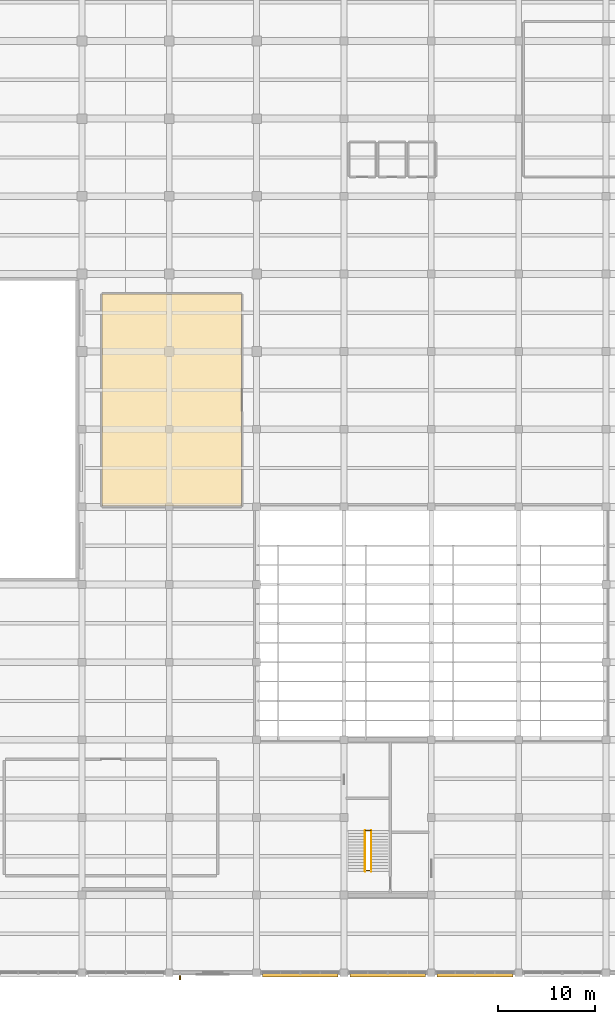
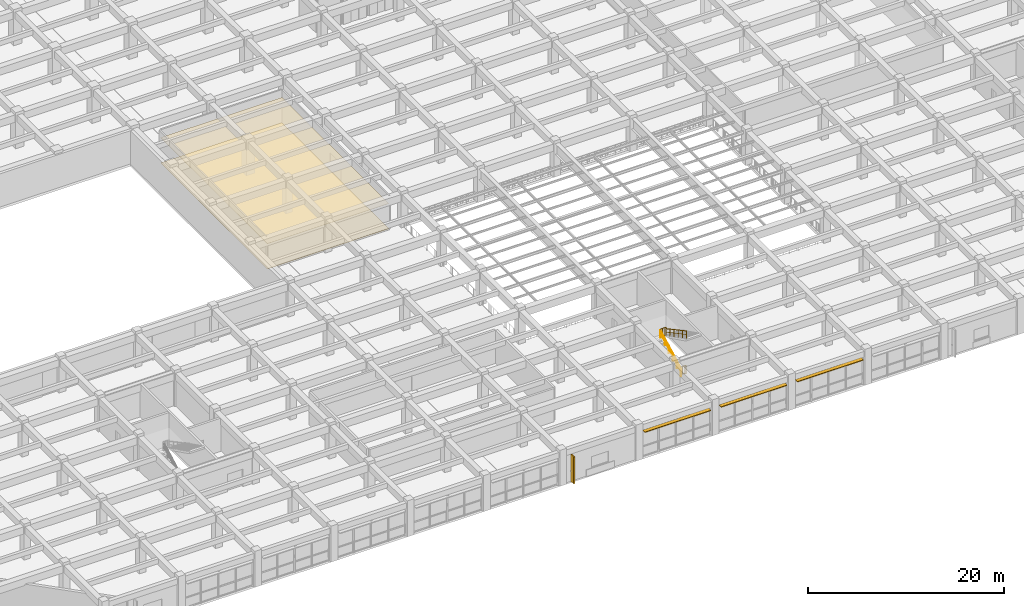
# One storey, part 43 of 50: 4 railings, 4 shading devices, 2 coverings.
"""IFC4 building model written with IfcOpenShell, lengths in metres."""

from ifc_helpers import new_model, si_unit, direction, frame, frame_2d, origin, origin_2d, place, context, subcontext, project, spatial, polyline, rectangle, circle, outline, extrude, material, layer, layer_set, type_object, element, save


model = new_model("IFC4")

# Units and contexts
model_context = context("Model", 3, precision=1e-05, world=origin(), true_north=direction((0.0, 1.0)))
body_context = subcontext(model_context, "Body", "Model", "MODEL_VIEW")
ifc_project = project(units=[si_unit("LENGTHUNIT", "METRE"), si_unit("AREAUNIT", "SQUARE_METRE"), si_unit("VOLUMEUNIT", "CUBIC_METRE"), si_unit("PLANEANGLEUNIT", "RADIAN"), si_unit("MASSUNIT", "GRAM", prefix="KILO")], contexts=[model_context])

# Site, building, storey
site_placement = place(None, origin())
site = spatial("IfcSite", under=ifc_project, at=site_placement, CompositionType="ELEMENT")
building_placement = place(site_placement, origin())
building = spatial("IfcBuilding", under=site, at=building_placement, Name="Zaverband Oceanarium and Marine Research Institute", CompositionType="ELEMENT")
storey_placement = place(building_placement, frame((0.0, 0.0, 9.0)))
storey = spatial("IfcBuildingStorey", under=building, at=storey_placement, Name="L02", CompositionType="ELEMENT", Elevation=9.0)

# Coverings
ifc_material_1 = material(Name="Perforated mineral-fibre acoustic ceiling tile")
ifc_layer_1 = layer(ifc_material_1, 0.02490234375, Name="Perforated mineral-fibre acoustic ceiling tile")
ifc_layer_set_1 = layer_set([ifc_layer_1], Name="Perforated mineral-fibre acoustic ceiling tile")
covering_type_1 = type_object("IfcCoveringType", Name="CLG-AC-15", PredefinedType="CEILING", material=ifc_layer_set_1)
covering_1_placement = place(storey_placement, frame((0.0, 0.0, 3.14990234375)))
element("IfcCovering", 1, at=covering_1_placement, inside=storey, type_object=covering_type_1, Name="Suspended acoustic ceiling CLG-AC-15", PredefinedType="CEILING", context=body_context, shape_type="SweptSolid", body=[
    extrude(outline(polyline([(56.08251953125, 48.08251953125), (70.41748046875, 48.08251953125), (70.41748046875, 69.91748046875), (56.08251953125, 69.91748046875), (56.08251953125, 48.08251953125)])), origin(), (0.0, 0.0, 1.0), 0.025146484375),
])
ifc_material_2 = material(Name="Polished marine terrazzo and seamless laboratory epoxy flooring")
ifc_layer_2 = layer(ifc_material_2, 0.02490234375, Name="Polished marine terrazzo and seamless laboratory epoxy flooring")
ifc_layer_set_2 = layer_set([ifc_layer_2], Name="Polished marine terrazzo and seamless laboratory epoxy flooring")
covering_type_2 = type_object("IfcCoveringType", Name="FLR-TRZ-20", PredefinedType="FLOORING", material=ifc_layer_set_2)
covering_2_placement = place(storey_placement, origin())
element("IfcCovering", 2, at=covering_2_placement, inside=storey, type_object=covering_type_2, Name="Terrazzo and marine epoxy floor finish FLR-TRZ-20", PredefinedType="FLOORING", context=body_context, shape_type="SweptSolid", body=[
    extrude(outline(polyline([(56.08251953125, 48.08251953125), (70.41748046875, 48.08251953125), (70.41748046875, 69.91748046875), (56.08251953125, 69.91748046875), (56.08251953125, 48.08251953125)])), origin(), (0.0, 0.0, 1.0), 0.02490234375),
])

# Railings
ifc_material_3 = material(Name="Steel S355", Category="steel")
ifc_layer_3 = layer(ifc_material_3, 0.06005859375, Name="Steel S355")
ifc_layer_set_3 = layer_set([ifc_layer_3], Name="Steel S355")
railing_type_1 = type_object("IfcRailingType", Name="GRD-1100", PredefinedType="BALUSTRADE", material=ifc_layer_set_3)
for number, where, name in (
    (3, (83.18994140625, 14.6298828125, 2.25), "1100 mm steel post-and-baluster safety guard GRD-1100"),
    (4, (83.18994140625, 10.530029296875, 0.0), "1100 mm steel post-and-baluster safety guard GRD-1100"),
):
    element("IfcRailing", number, at=place(storey_placement, frame(where)), inside=storey, type_object=railing_type_1, Name=name, PredefinedType="BALUSTRADE", context=body_context, shape_type="SweptSolid", body=[
        extrude(circle(Radius=0.02392578125, at=origin_2d()), frame((0.0, 0.0, 1.076171875), z_axis=(1.0, 0.0, 0.0), x_axis=(0.0, 1.0, 0.0)), (0.0, 0.0, 1.0), 0.6201171875),
        extrude(circle(Radius=0.009033203125, at=origin_2d()), frame((0.0, 0.0, 0.10009765625), z_axis=(1.0, 0.0, 0.0), x_axis=(0.0, 1.0, 0.0)), (0.0, 0.0, 1.0), 0.6201171875),
        extrude(circle(Radius=0.009033203125, at=origin_2d()), frame((0.206787109375, 0.0, 0.10009765625)), (0.0, 0.0, 1.0), 0.951904296875),
        extrude(circle(Radius=0.009033203125, at=origin_2d()), frame((0.413330078125, 0.0, 0.10009765625)), (0.0, 0.0, 1.0), 0.951904296875),
        extrude(circle(Radius=0.02099609375, at=origin_2d()), origin(), (0.0, 0.0, 1.0), 1.052001953125),
        extrude(circle(Radius=0.02099609375, at=origin_2d()), frame((0.6201171875, 0.0, 0.0)), (0.0, 0.0, 1.0), 1.052001953125),
    ])
ifc_layer_4 = layer(ifc_material_3, 0.050048828125, Name="Steel S355")
ifc_layer_set_4 = layer_set([ifc_layer_4], Name="Steel S355")
railing_type_2 = type_object("IfcRailingType", Name="HR-920", PredefinedType="HANDRAIL", material=ifc_layer_set_4)
railing_1_placement = place(storey_placement, frame((83.18994140625, 10.449951171875, 0.0)))
element("IfcRailing", 5, at=railing_1_placement, inside=storey, type_object=railing_type_2, Name="920 mm continuous tubular stair and ramp handrail HR-920", PredefinedType="HANDRAIL", context=body_context, shape_type="SweptSolid", body=[
    extrude(circle(Radius=0.02392578125, at=origin_2d()), frame((0.0, 0.0, 0.89599609375), z_axis=(0.0, 0.881477684796, 0.472225678258), x_axis=(-1.0, 0.0, 0.0)), (0.0, 0.0, 1.0), 4.7646484375),
    extrude(circle(Radius=0.009033203125, at=origin_2d()), frame((0.0, 0.0, 0.4599609375), z_axis=(0.0, 0.881477684796, 0.472225678258), x_axis=(-1.0, 0.0, 0.0)), (0.0, 0.0, 1.0), 4.7646484375),
    extrude(circle(Radius=0.02099609375, at=origin_2d()), origin(), (0.0, 0.0, 1.0), 0.871826171875),
    extrude(circle(Radius=0.02099609375, at=origin_2d()), frame((0.0, 0.840087890625, 0.449951171875)), (0.0, 0.0, 1.0), 0.871826171875),
    extrude(circle(Radius=0.02099609375, at=origin_2d()), frame((0.0, 1.679931640625, 0.89990234375)), (0.0, 0.0, 1.0), 0.871826171875),
    extrude(circle(Radius=0.02099609375, at=origin_2d()), frame((0.0, 2.52001953125, 1.35009765625)), (0.0, 0.0, 1.0), 0.871826171875),
    extrude(circle(Radius=0.02099609375, at=origin_2d()), frame((0.0, 3.35986328125, 1.800048828125)), (0.0, 0.0, 1.0), 0.871826171875),
    extrude(circle(Radius=0.02099609375, at=origin_2d()), frame((0.0, 4.199951171875, 2.25)), (0.0, 0.0, 1.0), 0.871826171875),
])
railing_2_placement = place(storey_placement, frame((83.81005859375, 14.64990234375, 2.25)))
element("IfcRailing", 6, at=railing_2_placement, inside=storey, type_object=railing_type_2, Name="920 mm continuous tubular stair and ramp handrail HR-920", PredefinedType="HANDRAIL", context=body_context, shape_type="SweptSolid", body=[
    extrude(circle(Radius=0.02392578125, at=origin_2d()), frame((0.0, 0.0, 0.89599609375), z_axis=(0.0, -0.881477684796, 0.472225678258), x_axis=(1.0, 0.0, 0.0)), (0.0, 0.0, 1.0), 4.7646484375),
    extrude(circle(Radius=0.009033203125, at=origin_2d()), frame((0.0, 0.0, 0.4599609375), z_axis=(0.0, -0.881477684796, 0.472225678258), x_axis=(1.0, 0.0, 0.0)), (0.0, 0.0, 1.0), 4.7646484375),
    extrude(circle(Radius=0.02099609375, at=origin_2d()), origin(), (0.0, 0.0, 1.0), 0.871826171875),
    extrude(circle(Radius=0.02099609375, at=origin_2d()), frame((0.0, -0.840087890625, 0.449951171875)), (0.0, 0.0, 1.0), 0.871826171875),
    extrude(circle(Radius=0.02099609375, at=origin_2d()), frame((0.0, -1.679931640625, 0.89990234375)), (0.0, 0.0, 1.0), 0.871826171875),
    extrude(circle(Radius=0.02099609375, at=origin_2d()), frame((0.0, -2.52001953125, 1.35009765625)), (0.0, 0.0, 1.0), 0.871826171875),
    extrude(circle(Radius=0.02099609375, at=origin_2d()), frame((0.0, -3.35986328125, 1.800048828125)), (0.0, 0.0, 1.0), 0.871826171875),
    extrude(circle(Radius=0.02099609375, at=origin_2d()), frame((0.0, -4.199951171875, 2.25)), (0.0, 0.0, 1.0), 0.871826171875),
])

# Shading devices
ifc_material_4 = material(Name="Concrete C40/50 precast brise-soleil", Category="concrete")
ifc_layer_5 = layer(ifc_material_4, 0.139892578125, Name="Concrete C40/50 precast brise-soleil")
ifc_layer_set_5 = layer_set([ifc_layer_5], Name="Concrete C40/50 precast brise-soleil")
shading_device_type_1 = type_object("IfcShadingDeviceType", Name="SHD-FIN-600", PredefinedType="JALOUSIE", material=ifc_layer_set_5)
shading_device_placement = place(storey_placement, frame((64.10498046875, -0.135009765625, 0.0), z_axis=(0.0, 0.0, 1.0), x_axis=(0.0, -1.0, 0.0)))
element("IfcShadingDevice", 7, at=shading_device_placement, inside=storey, type_object=shading_device_type_1, Name="600 mm vertical precast brise-soleil fin SHD-FIN-600", PredefinedType="JALOUSIE", context=body_context, shape_type="SweptSolid", body=[
    extrude(rectangle(XDim=0.60009765625, YDim=0.139892578125, at=frame_2d((0.300048828125, 0.0))), origin(), (0.0, 0.0, 1.0), 3.3701171875),
])
ifc_material_5 = material(Name="Anodized bronze marine-grade aluminium", Category="aluminium")
ifc_layer_6 = layer(ifc_material_5, 0.080078125, Name="Anodized bronze marine-grade aluminium")
ifc_layer_set_6 = layer_set([ifc_layer_6], Name="Anodized bronze marine-grade aluminium")
shading_device_type_2 = type_object("IfcShadingDeviceType", Name="SHD-LVR-450", PredefinedType="USERDEFINED", material=ifc_layer_set_6)
for number, where, z_axis, x_axis, name in (
    (8, (72.60498046875, -0.239990234375, 3.239990234375), (0.0, 0.0, 1.0), (1.0, 0.0, 0.0), "450 mm horizontal solar shading louvre SHD-LVR-450"),
    (9, (81.60498046875, -0.239990234375, 3.239990234375), (0.0, 0.0, 1.0), (1.0, 0.0, 0.0), "450 mm horizontal solar shading louvre SHD-LVR-450"),
    (10, (90.60498046875, -0.239990234375, 3.239990234375), (0.0, 0.0, 1.0), (1.0, 0.0, 0.0), "450 mm horizontal solar shading louvre SHD-LVR-450"),
):
    element("IfcShadingDevice", number, at=place(storey_placement, frame(where, z_axis=z_axis, x_axis=x_axis)), inside=storey, type_object=shading_device_type_2, Name=name, ObjectType="LOUVRE", PredefinedType="USERDEFINED", context=body_context, shape_type="SweptSolid", body=[
        extrude(rectangle(XDim=7.7900390625, YDim=0.449951171875, at=frame_2d((3.89501953125, 0.0))), origin(), (0.0, 0.0, 1.0), 0.080078125),
    ])

save(model, "model.ifc")
